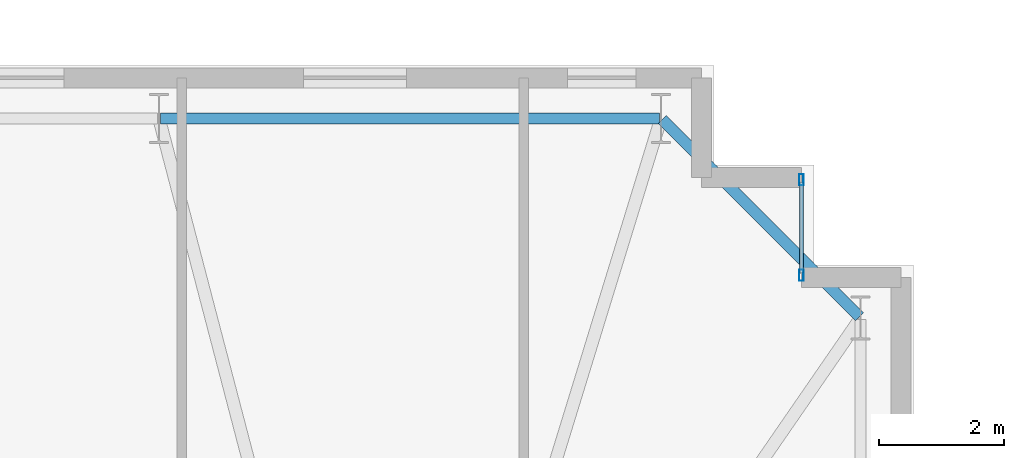
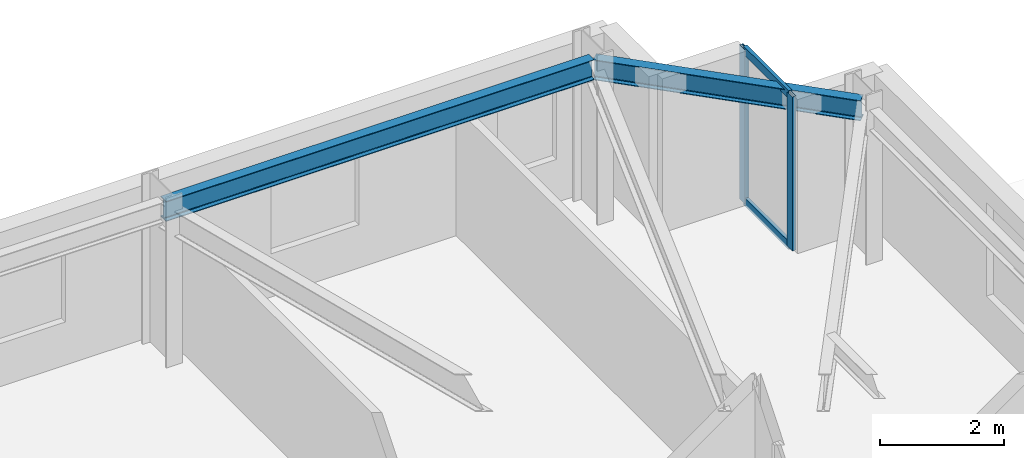
# One storey, part 9 of 18: 4 members, 2 beams, 1 element without a shape of its own.
"""IFC4 building model written with IfcOpenShell, lengths in metres."""

from ifc_helpers import new_model, si_unit, direction, frame, origin, origin_2d, place, context, subcontext, project, spatial, hollow_rectangle, i_section, extrude, material, layer, layer_set, material_profile, profile_set, type_object, element, aggregate, save


model = new_model("IFC4")

# Units and contexts
model_context = context("Model", 3, precision=1e-05, world=origin(), true_north=direction((0.0, 1.0)))
body_context = subcontext(model_context, "Body", "Model", "MODEL_VIEW")
ifc_project = project(units=[si_unit("LENGTHUNIT", "METRE"), si_unit("AREAUNIT", "SQUARE_METRE"), si_unit("VOLUMEUNIT", "CUBIC_METRE"), si_unit("PLANEANGLEUNIT", "RADIAN"), si_unit("MASSUNIT", "GRAM", prefix="KILO")], contexts=[model_context])

# Site, building, storey
site_placement = place(None, origin())
site = spatial("IfcSite", under=ifc_project, at=site_placement, CompositionType="ELEMENT")
building_placement = place(site_placement, origin())
building = spatial("IfcBuilding", under=site, at=building_placement, Name="Qobustan Lattice House", CompositionType="ELEMENT")
storey_placement = place(building_placement, frame((0.0, 0.0, 134.35009765625)))
storey = spatial("IfcBuildingStorey", under=building, at=storey_placement, Name="L37", CompositionType="ELEMENT", Elevation=134.35009765625)

# Beams
ifc_material_1 = material(Name="Steel S355", Category="steel")
ifc_material_profile_1 = material_profile(ifc_material_1, i_section(OverallWidth=0.179931640625, OverallDepth=0.39990234375, WebThickness=0.008544921875, FlangeThickness=0.013427734375, FilletRadius=0.02099609375, at=origin_2d()), Name="IPE400")
ifc_profile_set_1 = profile_set([ifc_material_profile_1], Name="Steel S355")
beam_type = type_object("IfcBeamType", Name="BM-SPD-IPE400", PredefinedType="SPANDREL", material=ifc_profile_set_1)
beam_1_placement = place(storey_placement, frame((26.332275390625, 16.567626953125, 2.83984375), z_axis=(-0.707079505568, 0.707134055753, 0.0), x_axis=(-0.707134055753, -0.707079505568, 0.0)))
element("IfcBeam", 1, at=beam_1_placement, inside=storey, type_object=beam_type, Name="L37 perimeter spandrel E4-N1", PredefinedType="SPANDREL", context=body_context, shape_type="SweptSolid", body=[
    extrude(i_section(OverallWidth=0.179931640625, OverallDepth=0.39990234375, WebThickness=0.008544921875, FlangeThickness=0.013427734375, FilletRadius=0.02099609375, at=origin_2d()), origin(), (0.0, 0.0, 1.0), 4.4755859375),
])
beam_2_placement = place(storey_placement, frame((23.125, 19.75, 2.83984375), z_axis=(-1.0, 0.0, 0.0), x_axis=(0.0, -1.0, 0.0)))
element("IfcBeam", 2, at=beam_2_placement, inside=storey, type_object=beam_type, Name="L37 perimeter spandrel N1-N2", PredefinedType="SPANDREL", context=body_context, shape_type="SweptSolid", body=[
    extrude(i_section(OverallWidth=0.179931640625, OverallDepth=0.39990234375, WebThickness=0.008544921875, FlangeThickness=0.013427734375, FilletRadius=0.02099609375, at=origin_2d()), origin(), (0.0, 0.0, 1.0), 8.0),
])

# Curtain wall, members
ifc_material_2 = material(Name="Anodised aluminium and low-E glazing", Category="aluminium")
ifc_layer = layer(ifc_material_2, 0.219970703125)
ifc_layer_set = layer_set([ifc_layer], Name="Anodised aluminium and low-E glazing")
curtain_wall_type = type_object("IfcCurtainWallType", Name="CW-FAC-02", PredefinedType="USERDEFINED", material=ifc_layer_set)
curtain_wall_placement = place(storey_placement, origin())
curtain_wall = element("IfcCurtainWall", 3, at=curtain_wall_placement, inside=storey, type_object=curtain_wall_type, Name="L37 serrated corner faceted glazing 13", ObjectType="CURTAIN WALL", PredefinedType="USERDEFINED")
ifc_material_3 = material(Name="Anodised aluminium EN AW-6063 T6", Category="aluminium")
ifc_material_profile_2 = material_profile(ifc_material_3, hollow_rectangle(XDim=0.070068359375, YDim=0.179931640625, WallThickness=0.00439453125, at=origin_2d()), Name="CWM-180x70")
ifc_profile_set_2 = profile_set([ifc_material_profile_2], Name="Anodised aluminium EN AW-6063 T6")
member_type_1 = type_object("IfcMemberType", Name="CWM-STD-180", PredefinedType="MULLION", material=ifc_profile_set_2)
member_1_placement = place(storey_placement, frame((25.39990234375, 18.764892578125, 0.0), z_axis=(0.0, 0.0, 1.0), x_axis=(1.0, 0.0, 0.0)))
member_1 = element("IfcMember", 4, at=member_1_placement, type_object=member_type_1, Name="CW-F2 mullion 1", PredefinedType="MULLION", context=body_context, shape_type="SweptSolid", body=[
    extrude(hollow_rectangle(XDim=0.070068359375, YDim=0.179931640625, WallThickness=0.00439453125, at=origin_2d()), origin(), (0.0, 0.0, 1.0), 3.039794921875),
])
member_2_placement = place(storey_placement, frame((25.39990234375, 17.235107421875, 0.0), z_axis=(0.0, 0.0, 1.0), x_axis=(1.0, 0.0, 0.0)))
member_2 = element("IfcMember", 5, at=member_2_placement, type_object=member_type_1, Name="CW-F2 mullion 2", PredefinedType="MULLION", context=body_context, shape_type="SweptSolid", body=[
    extrude(hollow_rectangle(XDim=0.070068359375, YDim=0.179931640625, WallThickness=0.00439453125, at=origin_2d()), origin(), (0.0, 0.0, 1.0), 3.039794921875),
])
ifc_material_4 = material(Name="Anodised aluminium EN AW-6063 T6", Category="aluminium")
ifc_material_profile_3 = material_profile(ifc_material_4, hollow_rectangle(XDim=0.06494140625, YDim=0.159912109375, WallThickness=0.00390625, at=origin_2d()), Name="CWT-160x65")
ifc_profile_set_3 = profile_set([ifc_material_profile_3], Name="Anodised aluminium EN AW-6063 T6")
member_type_2 = type_object("IfcMemberType", Name="CWT-HOR-160", PredefinedType="USERDEFINED", material=ifc_profile_set_3)
member_3_placement = place(storey_placement, frame((25.39990234375, 18.72998046875, 0.032470703125), z_axis=(0.0, -1.0, 0.0), x_axis=(1.0, 0.0, 0.0)))
member_3 = element("IfcMember", 6, at=member_3_placement, type_object=member_type_2, Name="CW-F2 transom 1.1", ObjectType="TRANSOM", PredefinedType="USERDEFINED", context=body_context, shape_type="SweptSolid", body=[
    extrude(hollow_rectangle(XDim=0.06494140625, YDim=0.159912109375, WallThickness=0.00390625, at=origin_2d()), origin(), (0.0, 0.0, 1.0), 1.4599609375),
])
member_4_placement = place(storey_placement, frame((25.39990234375, 18.72998046875, 3.00732421875), z_axis=(0.0, -1.0, 0.0), x_axis=(1.0, 0.0, 0.0)))
member_4 = element("IfcMember", 7, at=member_4_placement, type_object=member_type_2, Name="CW-F2 transom 1.2", ObjectType="TRANSOM", PredefinedType="USERDEFINED", context=body_context, shape_type="SweptSolid", body=[
    extrude(hollow_rectangle(XDim=0.06494140625, YDim=0.159912109375, WallThickness=0.00390625, at=origin_2d()), origin(), (0.0, 0.0, 1.0), 1.4599609375),
])
aggregate(curtain_wall, [member_1, member_2, member_3, member_4])

save(model, "model.ifc")
